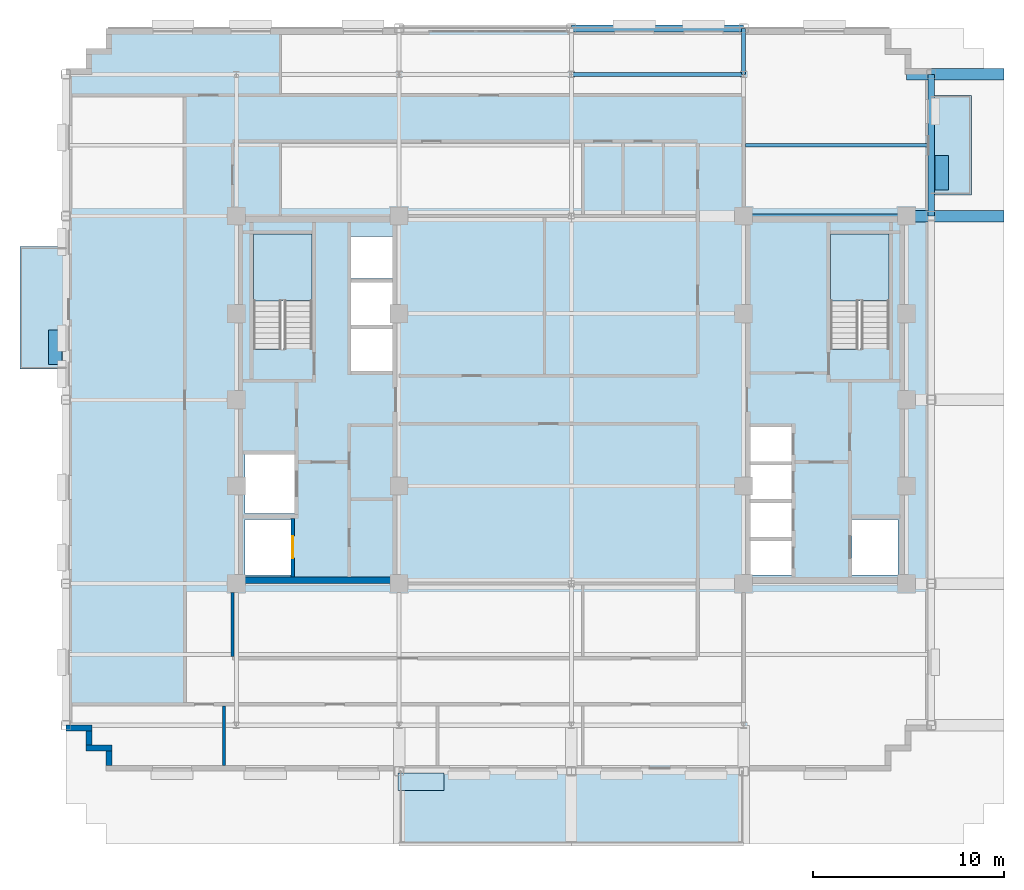
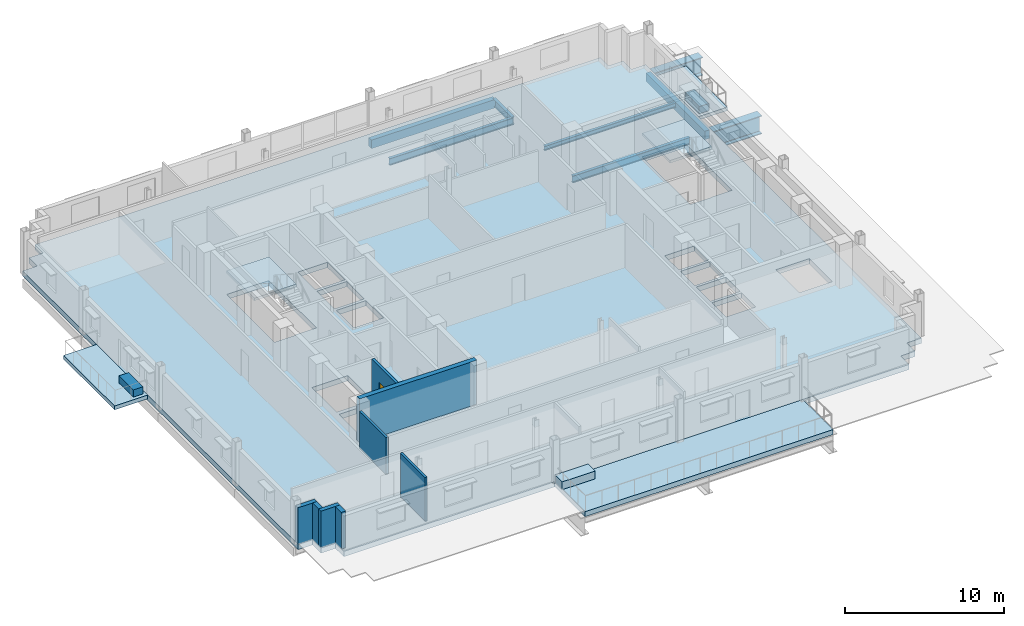
# One storey, part 6 of 16: 8 beams, 8 walls, 6 slabs, 3 plates, 1 door, 1 opening, 2 elements without a shape of their own.
"""IFC4 building model written with IfcOpenShell, lengths in metres."""

from ifc_helpers import new_model, si_unit, direction, frame, frame_2d, origin, origin_2d, place, context, subcontext, project, spatial, polyline, rectangle, i_section, outline, extrude, source, transform, mapped, material, layer, layer_set, material_profile, profile_set, type_object, type_shapes, element, fill, aggregate, save


model = new_model("IFC4")

# Units and contexts
model_context = context("Model", 3, precision=1e-05, world=origin(), true_north=direction((0.0, 1.0)))
body_context = subcontext(model_context, "Body", "Model", "MODEL_VIEW")
ifc_project = project(units=[si_unit("LENGTHUNIT", "METRE"), si_unit("AREAUNIT", "SQUARE_METRE"), si_unit("VOLUMEUNIT", "CUBIC_METRE"), si_unit("PLANEANGLEUNIT", "RADIAN"), si_unit("MASSUNIT", "GRAM", prefix="KILO")], contexts=[model_context])

# Site, building, storey
site_placement = place(None, origin())
site = spatial("IfcSite", under=ifc_project, at=site_placement, CompositionType="ELEMENT")
building_placement = place(site_placement, origin())
building = spatial("IfcBuilding", under=site, at=building_placement, Name="Nuvemarco Arch Tower", CompositionType="ELEMENT")
storey_placement = place(building_placement, frame((0.0, 0.0, 209.14990234375)))
storey = spatial("IfcBuildingStorey", under=building, at=storey_placement, Name="L55", CompositionType="ELEMENT", Elevation=209.14990234375)

# Beams
ifc_material_1 = material(Name="Steel S355", Category="steel")
ifc_material_profile_1 = material_profile(ifc_material_1, i_section(OverallWidth=0.2109375, OverallDepth=0.5390625, WebThickness=0.01171875, FlangeThickness=0.018798828125, FilletRadius=0.01611328125, at=origin_2d()), Name="W530x109")
ifc_profile_set_1 = profile_set([ifc_material_profile_1], Name="Steel S355")
beam_type_1 = type_object("IfcBeamType", Name="BM-GIRD-530", PredefinedType="BEAM", material=ifc_profile_set_1)
beam_1_placement = place(storey_placement, frame((9.0, 17.0, -0.66943359375), z_axis=(0.0, 1.0, 0.0), x_axis=(-1.0, 0.0, 0.0)))
element("IfcBeam", 1, at=beam_1_placement, inside=storey, type_object=beam_type_1, Name="L55 structural beam BGNS_L55_0_+9.0_+17.0", PredefinedType="BEAM", context=body_context, shape_type="SweptSolid", body=[
    extrude(i_section(OverallWidth=0.2109375, OverallDepth=0.5390625, WebThickness=0.01171875, FlangeThickness=0.018798828125, FilletRadius=0.01611328125, at=origin_2d()), origin(), (0.0, 0.0, 1.0), 2.39990234375),
])
beam_2_placement = place(storey_placement, frame((9.0, 9.60009765625, -0.66943359375), z_axis=(1.0, 0.0, 0.0), x_axis=(0.0, 1.0, 0.0)))
element("IfcBeam", 2, at=beam_2_placement, inside=storey, type_object=beam_type_1, Name="L55 structural beam BGEW_L55_0_+9.6_+9.0", PredefinedType="BEAM", context=body_context, shape_type="SweptSolid", body=[
    extrude(i_section(OverallWidth=0.2109375, OverallDepth=0.5390625, WebThickness=0.01171875, FlangeThickness=0.018798828125, FilletRadius=0.01611328125, at=origin_2d()), origin(), (0.0, 0.0, 1.0), 8.5),
])
beam_3_placement = place(storey_placement, frame((0.0, 17.0, -0.66943359375), z_axis=(1.0, 0.0, 0.0), x_axis=(0.0, 1.0, 0.0)))
element("IfcBeam", 3, at=beam_3_placement, inside=storey, type_object=beam_type_1, Name="L55 structural beam BGEW_L55_0_+17.0_+0.0", PredefinedType="BEAM", context=body_context, shape_type="SweptSolid", body=[
    extrude(i_section(OverallWidth=0.2109375, OverallDepth=0.5390625, WebThickness=0.01171875, FlangeThickness=0.018798828125, FilletRadius=0.01611328125, at=origin_2d()), origin(), (0.0, 0.0, 1.0), 9.0),
])
ifc_material_profile_2 = material_profile(ifc_material_1, i_section(OverallWidth=0.202880859375, OverallDepth=0.346923828125, WebThickness=0.0078125, FlangeThickness=0.013427734375, FilletRadius=0.014892578125, at=origin_2d()), Name="W360x64")
ifc_profile_set_2 = profile_set([ifc_material_profile_2], Name="Steel S355")
beam_type_2 = type_object("IfcBeamType", Name="BM-JOIST-360", PredefinedType="JOIST", material=ifc_profile_set_2)
beam_4_placement = place(storey_placement, frame((9.10546875, 13.300048828125, -0.573486328125), z_axis=(1.0, 0.0, 0.0), x_axis=(0.0, 1.0, 0.0)))
element("IfcBeam", 4, at=beam_4_placement, inside=storey, type_object=beam_type_2, Name="L55 structural beam BJ_L55_0_+13.3_+9.0", PredefinedType="JOIST", context=body_context, shape_type="SweptSolid", body=[
    extrude(i_section(OverallWidth=0.202880859375, OverallDepth=0.346923828125, WebThickness=0.0078125, FlangeThickness=0.013427734375, FilletRadius=0.014892578125, at=origin_2d()), origin(), (0.0, 0.0, 1.0), 9.51953125),
])
ifc_material_2 = material(Name="Precast concrete C45/55", Category="concrete")
ifc_material_profile_3 = material_profile(ifc_material_2, rectangle(XDim=0.35009765625, YDim=0.64990234375, at=origin_2d()), Name="PC-SP-350x650")
ifc_profile_set_3 = profile_set([ifc_material_profile_3], Name="Precast concrete C45/55")
beam_type_3 = type_object("IfcBeamType", Name="BM-SPAN-RC", PredefinedType="SPANDREL", material=ifc_profile_set_3)
beam_5_placement = place(storey_placement, frame((18.800048828125, 9.60009765625, -0.724853515625), z_axis=(0.0, 1.0, 0.0), x_axis=(-1.0, 0.0, 0.0)))
element("IfcBeam", 5, at=beam_5_placement, inside=storey, type_object=beam_type_3, Name="L55 structural beam BGNS_L55_0_+18.8_+9.6", PredefinedType="SPANDREL", context=body_context, shape_type="SweptSolid", body=[
    extrude(rectangle(XDim=0.35009765625, YDim=0.64990234375, at=origin_2d()), origin(), (0.0, 0.0, 1.0), 7.39990234375),
])
beam_6_placement = place(storey_placement, frame((0.0, 19.39990234375, -0.724853515625), z_axis=(1.0, 0.0, 0.0), x_axis=(0.0, 1.0, 0.0)))
element("IfcBeam", 6, at=beam_6_placement, inside=storey, type_object=beam_type_3, Name="L55 structural beam BGEW_L55_0_+19.4_+0.0", PredefinedType="SPANDREL", context=body_context, shape_type="SweptSolid", body=[
    extrude(rectangle(XDim=0.35009765625, YDim=0.64990234375, at=origin_2d()), origin(), (0.0, 0.0, 1.0), 9.0),
])
ifc_material_3 = material(Name="Steel S460", Category="steel")
ifc_material_profile_4 = material_profile(ifc_material_3, i_section(OverallWidth=0.60009765625, OverallDepth=1.39990234375, WebThickness=0.031982421875, FlangeThickness=0.054931640625, FilletRadius=0.02001953125, at=origin_2d()), Name="PG1400x600")
ifc_profile_set_4 = profile_set([ifc_material_profile_4], Name="Steel S460")
beam_type_4 = type_object("IfcBeamType", Name="BM-TG-SETBACK", PredefinedType="BEAM", material=ifc_profile_set_4)
for number, where, z_axis, x_axis, name in (
    (7, (17.5, 9.60009765625, -1.099853515625), (1.0, 0.0, 0.0), (0.0, 1.0, 0.0), "L55 structural beam TGS_L55_E_+9.6"),
    (8, (17.5, 17.0, -1.099853515625), (1.0, 0.0, 0.0), (0.0, 1.0, 0.0), "L55 structural beam TGS_L55_E_+17.0"),
):
    element("IfcBeam", number, at=place(storey_placement, frame(where, z_axis=z_axis, x_axis=x_axis)), inside=storey, type_object=beam_type_4, Name=name, PredefinedType="BEAM", context=body_context, shape_type="SweptSolid", body=[
        extrude(i_section(OverallWidth=0.60009765625, OverallDepth=1.39990234375, WebThickness=0.031982421875, FlangeThickness=0.054931640625, FilletRadius=0.02001953125, at=origin_2d()), origin(), (0.0, 0.0, 1.0), 5.10009765625),
    ])

# Slab
ifc_material_4 = material(Name="Concrete C60/75", Category="concrete")
ifc_layer_1 = layer(ifc_material_4, 0.39990234375, Name="SL-FLR-400")
ifc_layer_set_1 = layer_set([ifc_layer_1], Name="Concrete C60/75")
slab_type_1 = type_object("IfcSlabType", Name="SL-FLR-400", PredefinedType="FLOOR", material=ifc_layer_set_1)
slab_1_placement = place(storey_placement, frame((0.0, 0.0, -0.39990234375)))
element("IfcSlab", 9, at=slab_1_placement, inside=storey, type_object=slab_type_1, Name="L55 structural floor slab", PredefinedType="FLOOR", context=body_context, shape_type="SweptSolid", body=[
    extrude(outline(polyline([(-24.300048828125, -19.39990234375), (16.699951171875, -19.39990234375), (16.699951171875, -18.35009765625), (17.75, -18.35009765625), (17.75, -17.300048828125), (18.800048828125, -17.300048828125), (18.800048828125, 17.300048828125), (17.75, 17.300048828125), (17.75, 18.35009765625), (16.699951171875, 18.35009765625), (16.699951171875, 19.39990234375), (-24.300048828125, 19.39990234375), (-24.300048828125, 18.35009765625), (-25.35009765625, 18.35009765625), (-25.35009765625, 17.300048828125), (-26.39990234375, 17.300048828125), (-26.39990234375, -17.300048828125), (-25.35009765625, -17.300048828125), (-25.35009765625, -18.35009765625), (-24.300048828125, -18.35009765625), (-24.300048828125, -19.39990234375)]), holes=[polyline([(-13.5400390625, 2.669921875), (-13.5400390625, 8.64990234375), (-16.60009765625, 8.64990234375), (-16.60009765625, 2.630615234375), (-15.070068359375, 2.630615234375), (-15.070068359375, 2.669921875), (-13.5400390625, 2.669921875)]), polyline([(16.60009765625, 2.669921875), (16.60009765625, 8.64990234375), (13.5400390625, 8.64990234375), (13.5400390625, 2.630615234375), (15.070068359375, 2.630615234375), (15.070068359375, 2.669921875), (16.60009765625, 2.669921875)]), polyline([(-17.050048828125, -9.14990234375), (-14.64990234375, -9.14990234375), (-14.64990234375, -6.25), (-17.050048828125, -6.25), (-17.050048828125, -9.14990234375)]), polyline([(-17.050048828125, -5.949951171875), (-14.449951171875, -5.949951171875), (-14.449951171875, -2.85009765625), (-17.050048828125, -2.85009765625), (-17.050048828125, -5.949951171875)]), polyline([(-11.5, 1.5), (-9.35009765625, 1.5), (-9.35009765625, 3.699951171875), (-11.5, 3.699951171875), (-11.5, 1.5)]), polyline([(-11.5, 3.919921875), (-9.35009765625, 3.919921875), (-9.35009765625, 6.1201171875), (-11.5, 6.1201171875), (-11.5, 3.919921875)]), polyline([(-11.5, 6.340087890625), (-9.35009765625, 6.340087890625), (-9.35009765625, 8.5400390625), (-11.5, 8.5400390625), (-11.5, 6.340087890625)]), polyline([(14.64990234375, -9.14990234375), (17.050048828125, -9.14990234375), (17.050048828125, -6.25), (14.64990234375, -6.25), (14.64990234375, -9.14990234375)]), polyline([(9.35009765625, -9.14990234375), (11.5, -9.14990234375), (11.5, -7.3701171875), (9.35009765625, -7.3701171875), (9.35009765625, -9.14990234375)]), polyline([(9.35009765625, -7.169921875), (11.5, -7.169921875), (11.5, -5.389892578125), (9.35009765625, -5.389892578125), (9.35009765625, -7.169921875)]), polyline([(9.35009765625, -5.18994140625), (11.5, -5.18994140625), (11.5, -3.409912109375), (9.35009765625, -3.409912109375), (9.35009765625, -5.18994140625)]), polyline([(9.35009765625, -3.2099609375), (11.5, -3.2099609375), (11.5, -1.429931640625), (9.35009765625, -1.429931640625), (9.35009765625, -3.2099609375)])]), origin(), (0.0, 0.0, 1.0), 0.39990234375),
])

# Stair, slab
stair_type = type_object("IfcStairType", Name="ST-CORE-20R", PredefinedType="HALF_TURN_STAIR", material=ifc_material_2)
stair_1_placement = place(storey_placement, origin())
stair_1 = element("IfcStair", 10, at=stair_1_placement, inside=storey, type_object=stair_type, Name="L55 Protected Exit Stair ST-1", PredefinedType="HALF_TURN_STAIR")
ifc_layer_2 = layer(ifc_material_2, 0.199951171875, Name="SL-LANDING-200")
ifc_layer_set_2 = layer_set([ifc_layer_2], Name="Precast concrete C45/55")
slab_type_2 = type_object("IfcSlabType", Name="SL-LANDING-200", PredefinedType="LANDING", material=ifc_layer_set_2)
slab_2_placement = place(storey_placement, frame((0.0, 0.0, 1.625)))
slab_2 = element("IfcSlab", 11, at=slab_2_placement, type_object=slab_type_2, Name="ST-20R landing 1", PredefinedType="LANDING", context=body_context, shape_type="SweptSolid", body=[
    extrude(outline(polyline([(-13.5400390625, 5.189453125), (-13.5400390625, 8.64990234375), (-16.60009765625, 8.64990234375), (-16.60009765625, 5.169921875), (-15.070068359375, 5.169921875), (-15.070068359375, 5.189453125), (-13.5400390625, 5.189453125)])), origin(), (0.0, 0.0, 1.0), 0.2001953125),
])
aggregate(stair_1, [slab_2])

stair_2_placement = place(storey_placement, origin())
stair_2 = element("IfcStair", 12, at=stair_2_placement, inside=storey, type_object=stair_type, Name="L55 Protected Exit Stair ST-2", PredefinedType="HALF_TURN_STAIR")
slab_3_placement = place(storey_placement, frame((0.0, 0.0, 1.625)))
slab_3 = element("IfcSlab", 13, at=slab_3_placement, type_object=slab_type_2, Name="ST-20R landing 1", PredefinedType="LANDING", context=body_context, shape_type="SweptSolid", body=[
    extrude(outline(polyline([(16.60009765625, 5.189453125), (16.60009765625, 8.64990234375), (13.5400390625, 8.64990234375), (13.5400390625, 5.169921875), (15.070068359375, 5.169921875), (15.070068359375, 5.189453125), (16.60009765625, 5.189453125)])), origin(), (0.0, 0.0, 1.0), 0.2001953125),
])
aggregate(stair_2, [slab_3])

# Slabs
ifc_material_5 = material(Name="Concrete C50/60", Category="concrete")
ifc_layer_3 = layer(ifc_material_5, 0.264892578125, Name="SL-TB1")
ifc_layer_set_3 = layer_set([ifc_layer_3], Name="Concrete C50/60")
slab_type_3 = type_object("IfcSlabType", Name="SL-TB1", PredefinedType="FLOOR", material=ifc_layer_set_3)
slab_4_placement = place(storey_placement, frame((0.0, 0.0, -0.264892578125)))
element("IfcSlab", 14, at=slab_4_placement, inside=storey, type_object=slab_type_3, Name="L55 outdoor tree balcony slab 3", PredefinedType="FLOOR", context=body_context, shape_type="SweptSolid", body=[
    extrude(outline(polyline([(18.800048828125, 10.699951171875), (20.89990234375, 10.699951171875), (20.89990234375, 15.89990234375), (18.800048828125, 15.89990234375), (18.800048828125, 10.699951171875)])), origin(), (0.0, 0.0, 1.0), 0.264892578125),
])
ifc_layer_4 = layer(ifc_material_5, 0.3798828125, Name="SL-TR2")
ifc_layer_set_4 = layer_set([ifc_layer_4], Name="Concrete C50/60")
slab_type_4 = type_object("IfcSlabType", Name="SL-TR2", PredefinedType="FLOOR", material=ifc_layer_set_4)
slab_5_placement = place(storey_placement, frame((0.0, 0.0, -0.3798828125)))
element("IfcSlab", 15, at=slab_5_placement, inside=storey, type_object=slab_type_4, Name="L55 outdoor setback terrace slab 1", PredefinedType="FLOOR", context=body_context, shape_type="SweptSolid", body=[
    extrude(outline(polyline([(-9.0, -23.199951171875), (9.0, -23.199951171875), (9.0, -19.39990234375), (-9.0, -19.39990234375), (-9.0, -23.199951171875)])), origin(), (0.0, 0.0, 1.0), 0.3798828125),
])
ifc_layer_5 = layer(ifc_material_5, 0.294921875, Name="SL-TR4")
ifc_layer_set_5 = layer_set([ifc_layer_5], Name="Concrete C50/60")
slab_type_5 = type_object("IfcSlabType", Name="SL-TR4", PredefinedType="FLOOR", material=ifc_layer_set_5)
slab_6_placement = place(storey_placement, frame((0.0, 0.0, -0.294921875)))
element("IfcSlab", 16, at=slab_6_placement, inside=storey, type_object=slab_type_5, Name="L55 outdoor spiral terrace slab 2", PredefinedType="FLOOR", context=body_context, shape_type="SweptSolid", body=[
    extrude(outline(polyline([(-28.800048828125, 1.60009765625), (-26.39990234375, 1.60009765625), (-26.39990234375, 8.0), (-28.800048828125, 8.0), (-28.800048828125, 1.60009765625)])), origin(), (0.0, 0.0, 1.0), 0.294921875),
])

# Plates
ifc_layer_6 = layer(ifc_material_2, 0.60009765625, Name="Setback Terrace Structural Planter")
ifc_layer_set_6 = layer_set([ifc_layer_6], Name="Precast concrete C45/55")
plate_type_1 = type_object("IfcPlateType", Name="Setback Terrace Structural Planter", PredefinedType="USERDEFINED", material=ifc_layer_set_6)
shared_shape_1 = source(origin(), body_context, "Body", "SweptSolid", [
    extrude(rectangle(XDim=2.39990234375, YDim=0.89990234375, at=origin_2d()), origin(), (0.0, 0.0, 1.0), 0.60009765625),
])
type_shapes(plate_type_1, [shared_shape_1])
plate_placement = place(storey_placement, frame((-7.85009765625, -19.949951171875, 0.0), z_axis=(0.0, 0.0, 1.0), x_axis=(1.0, 0.0, 0.0)))
element("IfcPlate", 17, at=plate_placement, inside=storey, type_object=plate_type_1, Name="L55 Setback Terrace Structural Planter", ObjectType="PLANTER", PredefinedType="USERDEFINED", context=body_context, shape_type="MappedRepresentation", body=[
    mapped(shared_shape_1, transform((0.0, 0.0, 0.0), scale=1.0)),
])
ifc_layer_7 = layer(ifc_material_2, 0.550048828125, Name="Tree Balcony Structural Planter")
ifc_layer_set_7 = layer_set([ifc_layer_7], Name="Precast concrete C45/55")
plate_type_2 = type_object("IfcPlateType", Name="Tree Balcony Structural Planter", PredefinedType="USERDEFINED", material=ifc_layer_set_7)
shared_shape_2 = source(origin(), body_context, "Body", "SweptSolid", [
    extrude(rectangle(XDim=1.800048828125, YDim=0.699951171875, at=origin_2d()), origin(), (0.0, 0.0, 1.0), 0.550048828125),
])
type_shapes(plate_type_2, [shared_shape_2])
for number, where, z_axis, x_axis, name in (
    (18, (-26.949951171875, 2.75, 0.0), (0.0, 0.0, 1.0), (0.0, 1.0, 0.0), "L55 Tree Balcony Structural Planter"),
    (19, (19.35009765625, 11.85009765625, 0.0), (0.0, 0.0, 1.0), (0.0, 1.0, 0.0), "L55 Tree Balcony Structural Planter"),
):
    element("IfcPlate", number, at=place(storey_placement, frame(where, z_axis=z_axis, x_axis=x_axis)), inside=storey, type_object=plate_type_2, Name=name, ObjectType="PLANTER", PredefinedType="USERDEFINED", context=body_context, shape_type="MappedRepresentation", body=[
        mapped(shared_shape_2, transform((0.0, 0.0, 0.0), scale=1.0)),
    ])

# Walls
ifc_layer_8 = layer(ifc_material_2, 0.31005859375, Name="EW-UPP-310")
ifc_layer_set_8 = layer_set([ifc_layer_8], Name="Precast concrete C45/55")
wall_type_1 = type_object("IfcWallType", Name="EW-UPP-310", PredefinedType="STANDARD", material=ifc_layer_set_8)
wall_1_placement = place(storey_placement, frame((-26.39990234375, -17.14501953125, 0.0), z_axis=(0.0, 0.0, 1.0), x_axis=(1.0, 0.0, 0.0)))
element("IfcWall", 20, at=wall_1_placement, inside=storey, type_object=wall_type_1, Name="L55 exterior precast facade wall 17", PredefinedType="STANDARD", context=body_context, shape_type="SweptSolid", body=[
    extrude(rectangle(XDim=1.35986328125, YDim=0.31005859375, at=frame_2d((0.679931640625, 0.0))), origin(), (0.0, 0.0, 1.0), 2.816162109375),
])
wall_2_placement = place(storey_placement, frame((-25.195068359375, -18.0439453125, 0.0), z_axis=(0.0, 0.0, 1.0), x_axis=(0.0, 1.0, 0.0)))
element("IfcWall", 21, at=wall_2_placement, inside=storey, type_object=wall_type_1, Name="L55 exterior precast facade wall 18", PredefinedType="STANDARD", context=body_context, shape_type="SweptSolid", body=[
    extrude(rectangle(XDim=0.748046875, YDim=0.31005859375, at=frame_2d((0.3740234375, 0.0))), origin(), (0.0, 0.0, 1.0), 2.816162109375),
])
wall_3_placement = place(storey_placement, frame((-25.35009765625, -18.195068359375, 0.0), z_axis=(0.0, 0.0, 1.0), x_axis=(1.0, 0.0, 0.0)))
element("IfcWall", 22, at=wall_3_placement, inside=storey, type_object=wall_type_1, Name="L55 exterior precast facade wall 19", PredefinedType="STANDARD", context=body_context, shape_type="SweptSolid", body=[
    extrude(rectangle(XDim=1.360107421875, YDim=0.31005859375, at=frame_2d((0.68017578125, 0.0))), origin(), (0.0, 0.0, 1.0), 2.816162109375),
])
wall_4_placement = place(storey_placement, frame((-24.14501953125, -19.093994140625, 0.0), z_axis=(0.0, 0.0, 1.0), x_axis=(0.0, 1.0, 0.0)))
element("IfcWall", 23, at=wall_4_placement, inside=storey, type_object=wall_type_1, Name="L55 exterior precast facade wall 20", PredefinedType="STANDARD", context=body_context, shape_type="SweptSolid", body=[
    extrude(rectangle(XDim=0.748046875, YDim=0.31005859375, at=frame_2d((0.3740234375, 0.0))), origin(), (0.0, 0.0, 1.0), 2.816162109375),
])
ifc_layer_9 = layer(ifc_material_5, 0.35009765625, Name="WL-CORE-350")
ifc_layer_set_9 = layer_set([ifc_layer_9], Name="Concrete C50/60")
wall_type_2 = type_object("IfcWallType", Name="WL-CORE-350", PredefinedType="SHEAR", material=ifc_layer_set_9)
wall_5_placement = place(storey_placement, frame((-17.5, -9.425048828125, 0.0), z_axis=(0.0, 0.0, 1.0), x_axis=(1.0, 0.0, 0.0)))
element("IfcWall", 24, at=wall_5_placement, inside=storey, type_object=wall_type_2, Name="L55 W-core shear wall S", PredefinedType="SHEAR", context=body_context, shape_type="SweptSolid", body=[
    extrude(rectangle(XDim=8.5, YDim=0.35009765625, at=frame_2d((4.25, 0.0))), origin(), (0.0, 0.0, 1.0), 3.3701171875),
])
ifc_material_6 = material(Name="Fire-rated gypsum drywall partition")
ifc_layer_10 = layer(ifc_material_6, 0.179931640625, Name="WL-CORR-180")
ifc_layer_set_10 = layer_set([ifc_layer_10], Name="Fire-rated gypsum drywall partition")
wall_type_3 = type_object("IfcWallType", Name="WL-CORR-180", PredefinedType="PARTITIONING", material=ifc_layer_set_10)
wall_6_placement = place(storey_placement, frame((-17.699951171875, -13.4140625, 0.0), z_axis=(0.0, 0.0, 1.0), x_axis=(0.0, 1.0, 0.0)))
element("IfcWall", 25, at=wall_6_placement, inside=storey, type_object=wall_type_3, Name="L55 interior wall IW-L55-013", PredefinedType="PARTITIONING", context=body_context, shape_type="SweptSolid", body=[
    extrude(rectangle(XDim=3.343017578125, YDim=0.179931640625, at=frame_2d((1.67138671875, 0.0))), origin(), (0.0, 0.0, 1.0), 2.816162109375),
])

# Wall, opening, door
ifc_layer_11 = layer(ifc_material_5, 0.199951171875, Name="WL-SHAFT-220")
ifc_layer_set_11 = layer_set([ifc_layer_11], Name="Concrete C50/60")
wall_type_4 = type_object("IfcWallType", Name="WL-SHAFT-220", PredefinedType="SHEAR", material=ifc_layer_set_11)
wall_7_placement = place(storey_placement, frame((-14.550048828125, -9.2548828125, 0.0), z_axis=(0.0, 0.0, 1.0), x_axis=(0.0, 1.0, 0.0)))
wall_7 = element("IfcWall", 26, at=wall_7_placement, inside=storey, type_object=wall_type_4, Name="L55 structural shaft wall SW-L55-W-SHE", PredefinedType="SHEAR", context=body_context, shape_type="SweptSolid", body=[
    extrude(rectangle(XDim=3.059814453125, YDim=0.199951171875, at=frame_2d((1.52978515625, 0.0))), origin(), (0.0, 0.0, 1.0), 3.3701171875),
])
opening_placement = place(wall_7_placement, frame((0.97998046875, 0.0, 0.0)))
opening = element("IfcOpeningElement", 27, at=opening_placement, cuts=wall_7, Name="Opening LD-2", PredefinedType="OPENING", context=body_context, shape_type="SweptSolid", body=[
    extrude(rectangle(XDim=1.14990234375, YDim=2.14990234375, at=frame_2d((0.574951171875, 1.074951171875))), frame((0.0, 0.10986328125, 0.0), z_axis=(0.0, -1.0, 0.0), x_axis=(1.0, 0.0, 0.0)), (0.0, 0.0, 1.0), 0.219970703125),
])
ifc_material_7 = material(Name="Stainless steel lift door", Category="steel")
door_type = type_object("IfcDoorType", Name="DR-LIFT-FIRE", OperationType="DOUBLE_DOOR_SLIDING", PredefinedType="DOOR", material=ifc_material_7)
shared_shape_3 = source(origin(), body_context, "Body", "SweptSolid", [
    extrude(rectangle(XDim=1.14990234375, YDim=2.14990234375, at=frame_2d((0.574951171875, 1.074951171875))), frame((0.0, 0.02490234375, 0.0), z_axis=(0.0, -1.0, 0.0), x_axis=(1.0, 0.0, 0.0)), (0.0, 0.0, 1.0), 0.050048828125),
])
type_shapes(door_type, [shared_shape_3])
door_placement = place(opening_placement, origin())
door = element("IfcDoor", 28, at=door_placement, inside=storey, type_object=door_type, Name="L55 Lift landing sliding door FFL-1", OperationType="DOUBLE_DOOR_SLIDING", OverallHeight=2.14990234375, OverallWidth=1.14990234375, PredefinedType="DOOR", context=body_context, shape_type="MappedRepresentation", body=[
    mapped(shared_shape_3, transform((0.0, 0.0, 0.0), scale=1.0)),
])
fill(opening, door)

# Wall
ifc_material_8 = material(Name="Acoustic gypsum drywall partition")
ifc_layer_12 = layer(ifc_material_8, 0.159912109375, Name="WL-TENANT-160")
ifc_layer_set_12 = layer_set([ifc_layer_12], Name="Acoustic gypsum drywall partition")
wall_type_5 = type_object("IfcWallType", Name="WL-TENANT-160", PredefinedType="PARTITIONING", material=ifc_layer_set_12)
wall_8_placement = place(storey_placement, frame((-18.14990234375, -19.090087890625, 0.0), z_axis=(0.0, 0.0, 1.0), x_axis=(0.0, 1.0, 0.0)))
element("IfcWall", 29, at=wall_8_placement, inside=storey, type_object=wall_type_5, Name="L55 interior wall IW-L55-012", PredefinedType="PARTITIONING", context=body_context, shape_type="SweptSolid", body=[
    extrude(rectangle(XDim=3.10400390625, YDim=0.159912109375, at=frame_2d((1.552001953125, 0.0))), origin(), (0.0, 0.0, 1.0), 3.360107421875),
])

save(model, "model.ifc")
